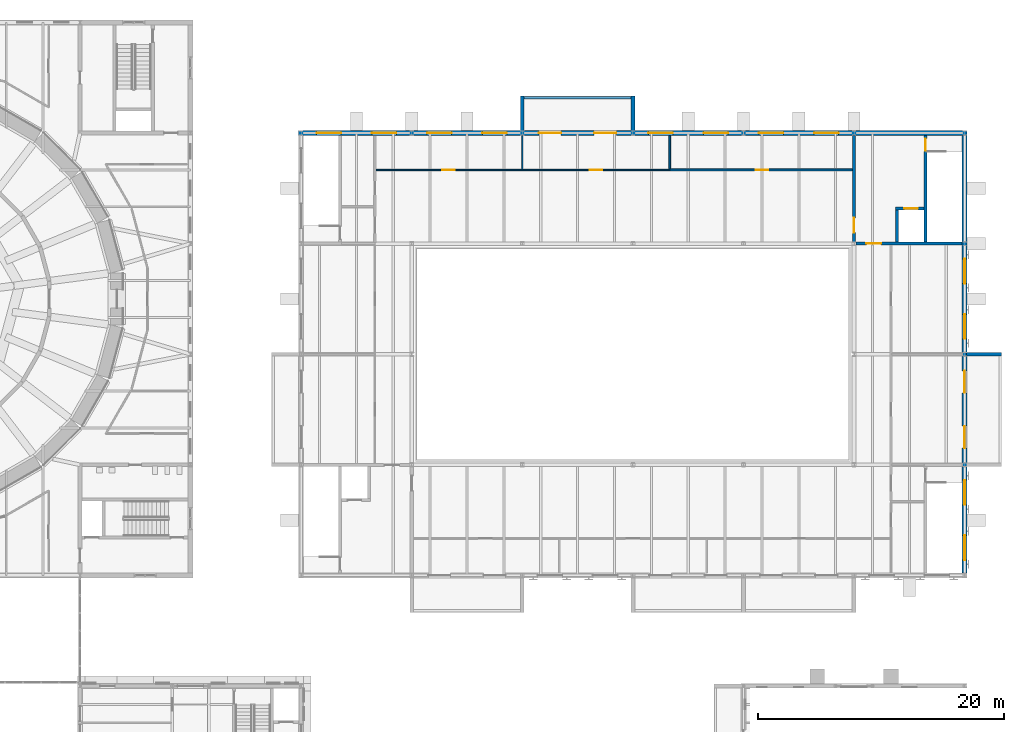
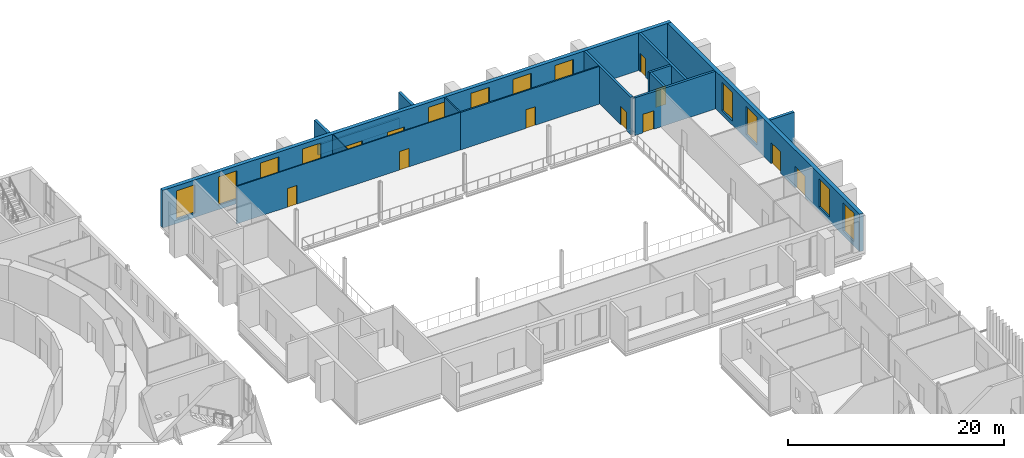
# One storey, part 95 of 131: 15 walls, 12 windows, 11 doors, 23 openings.
"""IFC4 building model written with IfcOpenShell, lengths in metres."""

from ifc_helpers import new_model, si_unit, direction, frame, frame_2d, origin, place, context, subcontext, project, spatial, rectangle, extrude, material, layer, layer_set, type_object, element, fill, save


model = new_model("IFC4")

# Units and contexts
model_context = context("Model", 3, precision=1e-05, world=origin(), true_north=direction((0.0, 1.0)))
body_context = subcontext(model_context, "Body", "Model", "MODEL_VIEW")
ifc_project = project(units=[si_unit("LENGTHUNIT", "METRE"), si_unit("AREAUNIT", "SQUARE_METRE"), si_unit("VOLUMEUNIT", "CUBIC_METRE"), si_unit("PLANEANGLEUNIT", "RADIAN"), si_unit("MASSUNIT", "GRAM", prefix="KILO")], contexts=[model_context])

# Site, building, storey
site_placement = place(None, origin())
site = spatial("IfcSite", under=ifc_project, at=site_placement, CompositionType="ELEMENT")
building_placement = place(site_placement, origin())
building = spatial("IfcBuilding", under=site, at=building_placement, Name="Golden Quay Civic Hall", CompositionType="ELEMENT")
storey_placement = place(building_placement, frame((0.0, 0.0, 9.89990234375)))
storey = spatial("IfcBuildingStorey", under=building, at=storey_placement, Name="L02", CompositionType="ELEMENT", Elevation=9.89990234375)

# Wall
ifc_material_1 = material(Name="Brick, dark clay facing", Category="masonry")
ifc_layer_1 = layer(ifc_material_1, 0.199951171875)
ifc_layer_set_1 = layer_set([ifc_layer_1], Name="Brick balustrade wall 200")
wall_type_1 = type_object("IfcWallType", Name="Brick balustrade wall 200", PredefinedType="STANDARD", material=ifc_layer_set_1)
wall_1_placement = place(storey_placement, frame((135.14990234375, 101.8798828125, 0.0), z_axis=(0.0, 0.0, 1.0), x_axis=(1.0, 0.0, 0.0)))
element("IfcWall", 1, at=wall_1_placement, inside=storey, type_object=wall_type_1, Name="Brick balustrade wall 200 L02 11", PredefinedType="STANDARD", context=body_context, shape_type="SweptSolid", body=[
    extrude(rectangle(XDim=8.7001953125, YDim=0.199951171875, at=frame_2d((4.35009765625, 0.0))), origin(), (0.0, 0.0, 1.0), 1.150146484375),
])

# Wall, openings, doors, windows
ifc_material_2 = material(Name="Brick, dark clay facing", Category="masonry")
ifc_layer_2 = layer(ifc_material_2, 0.39990234375)
ifc_layer_set_2 = layer_set([ifc_layer_2], Name="Brick external wall 400 fire EI 120")
wall_type_2 = type_object("IfcWallType", Name="Brick external wall 400 fire EI 120", PredefinedType="STANDARD", material=ifc_layer_set_2)
wall_2_placement = place(storey_placement, frame((116.800048828125, 99.0, 0.0), z_axis=(0.0, 0.0, 1.0), x_axis=(1.0, 0.0, 0.0)))
wall_2 = element("IfcWall", 2, at=wall_2_placement, inside=storey, type_object=wall_type_2, Name="L02 external wall N", PredefinedType="STANDARD", context=body_context, shape_type="SweptSolid", body=[
    extrude(rectangle(XDim=54.39990234375, YDim=0.39990234375, at=frame_2d((27.199951171875, 0.0))), origin(), (0.0, 0.0, 1.0), 4.25),
])
opening_1_placement = place(wall_2_placement, frame((1.449951171875, 0.0, 0.5)))
opening_1 = element("IfcOpeningElement", 3, at=opening_1_placement, cuts=wall_2, Name="Opening WN19", PredefinedType="OPENING", context=body_context, shape_type="SweptSolid", body=[
    extrude(rectangle(XDim=2.0, YDim=3.199951171875, at=frame_2d((1.0, 1.60009765625))), frame((0.0, 0.2099609375, 0.0), z_axis=(0.0, -1.0, 0.0), x_axis=(1.0, 0.0, 0.0)), (0.0, 0.0, 1.0), 0.419921875),
])
opening_2_placement = place(wall_2_placement, frame((5.949951171875, 0.0, 0.5)))
opening_2 = element("IfcOpeningElement", 4, at=opening_2_placement, cuts=wall_2, Name="Opening WN19", PredefinedType="OPENING", context=body_context, shape_type="SweptSolid", body=[
    extrude(rectangle(XDim=2.0, YDim=3.199951171875, at=frame_2d((1.0, 1.60009765625))), frame((0.0, 0.2099609375, 0.0), z_axis=(0.0, -1.0, 0.0), x_axis=(1.0, 0.0, 0.0)), (0.0, 0.0, 1.0), 0.419921875),
])
opening_3_placement = place(wall_2_placement, frame((10.449951171875, 0.0, 0.5)))
opening_3 = element("IfcOpeningElement", 5, at=opening_3_placement, cuts=wall_2, Name="Opening WN19", PredefinedType="OPENING", context=body_context, shape_type="SweptSolid", body=[
    extrude(rectangle(XDim=2.0, YDim=3.199951171875, at=frame_2d((1.0, 1.60009765625))), frame((0.0, 0.2099609375, 0.0), z_axis=(0.0, -1.0, 0.0), x_axis=(1.0, 0.0, 0.0)), (0.0, 0.0, 1.0), 0.419921875),
])
opening_4_placement = place(wall_2_placement, frame((14.949951171875, 0.0, 0.5)))
opening_4 = element("IfcOpeningElement", 6, at=opening_4_placement, cuts=wall_2, Name="Opening WN19", PredefinedType="OPENING", context=body_context, shape_type="SweptSolid", body=[
    extrude(rectangle(XDim=2.0, YDim=3.199951171875, at=frame_2d((1.0, 1.60009765625))), frame((0.0, 0.2099609375, 0.0), z_axis=(0.0, -1.0, 0.0), x_axis=(1.0, 0.0, 0.0)), (0.0, 0.0, 1.0), 0.419921875),
])
opening_5_placement = place(wall_2_placement, frame((28.449951171875, 0.0, 0.5)))
opening_5 = element("IfcOpeningElement", 7, at=opening_5_placement, cuts=wall_2, Name="Opening WN19", PredefinedType="OPENING", context=body_context, shape_type="SweptSolid", body=[
    extrude(rectangle(XDim=2.0, YDim=3.199951171875, at=frame_2d((1.0, 1.60009765625))), frame((0.0, 0.2099609375, 0.0), z_axis=(0.0, -1.0, 0.0), x_axis=(1.0, 0.0, 0.0)), (0.0, 0.0, 1.0), 0.419921875),
])
opening_6_placement = place(wall_2_placement, frame((32.949951171875, 0.0, 0.5)))
opening_6 = element("IfcOpeningElement", 8, at=opening_6_placement, cuts=wall_2, Name="Opening WN19", PredefinedType="OPENING", context=body_context, shape_type="SweptSolid", body=[
    extrude(rectangle(XDim=2.0, YDim=3.199951171875, at=frame_2d((1.0, 1.60009765625))), frame((0.0, 0.2099609375, 0.0), z_axis=(0.0, -1.0, 0.0), x_axis=(1.0, 0.0, 0.0)), (0.0, 0.0, 1.0), 0.419921875),
])
opening_7_placement = place(wall_2_placement, frame((37.449951171875, 0.0, 0.5)))
opening_7 = element("IfcOpeningElement", 9, at=opening_7_placement, cuts=wall_2, Name="Opening WN19", PredefinedType="OPENING", context=body_context, shape_type="SweptSolid", body=[
    extrude(rectangle(XDim=2.0, YDim=3.199951171875, at=frame_2d((1.0, 1.60009765625))), frame((0.0, 0.2099609375, 0.0), z_axis=(0.0, -1.0, 0.0), x_axis=(1.0, 0.0, 0.0)), (0.0, 0.0, 1.0), 0.419921875),
])
opening_8_placement = place(wall_2_placement, frame((41.949951171875, 0.0, 0.5)))
opening_8 = element("IfcOpeningElement", 10, at=opening_8_placement, cuts=wall_2, Name="Opening WN19", PredefinedType="OPENING", context=body_context, shape_type="SweptSolid", body=[
    extrude(rectangle(XDim=2.0, YDim=3.199951171875, at=frame_2d((1.0, 1.60009765625))), frame((0.0, 0.2099609375, 0.0), z_axis=(0.0, -1.0, 0.0), x_axis=(1.0, 0.0, 0.0)), (0.0, 0.0, 1.0), 0.419921875),
])
opening_9_placement = place(wall_2_placement, frame((19.550048828125, 0.0, 0.0)))
opening_9 = element("IfcOpeningElement", 11, at=opening_9_placement, cuts=wall_2, Name="Opening L02-D018", PredefinedType="OPENING", context=body_context, shape_type="SweptSolid", body=[
    extrude(rectangle(XDim=1.800048828125, YDim=2.39990234375, at=frame_2d((0.89990234375, 1.199951171875))), frame((0.0, 0.2099609375, 0.0), z_axis=(0.0, -1.0, 0.0), x_axis=(1.0, 0.0, 0.0)), (0.0, 0.0, 1.0), 0.419921875),
])
opening_10_placement = place(wall_2_placement, frame((24.050048828125, 0.0, 0.0)))
opening_10 = element("IfcOpeningElement", 12, at=opening_10_placement, cuts=wall_2, Name="Opening L02-D019", PredefinedType="OPENING", context=body_context, shape_type="SweptSolid", body=[
    extrude(rectangle(XDim=1.800048828125, YDim=2.39990234375, at=frame_2d((0.89990234375, 1.199951171875))), frame((0.0, 0.2099609375, 0.0), z_axis=(0.0, -1.0, 0.0), x_axis=(1.0, 0.0, 0.0)), (0.0, 0.0, 1.0), 0.419921875),
])
ifc_material_3 = material(Name="Aluminium frame, glazed", Category="aluminium")
door_type_1 = type_object("IfcDoorType", Name="Glazed double terrace door 1800 x 2400", OperationType="DOUBLE_DOOR_SINGLE_SWING", PredefinedType="DOOR", material=ifc_material_3)
door_1_placement = place(opening_9_placement, origin())
door_1 = element("IfcDoor", 13, at=door_1_placement, inside=storey, type_object=door_type_1, Name="Loggia door L02 N202", OperationType="DOUBLE_DOOR_SINGLE_SWING", OverallHeight=2.39990234375, OverallWidth=1.800048828125, PredefinedType="DOOR", context=body_context, shape_type="SweptSolid", body=[
    extrude(rectangle(XDim=1.800048828125, YDim=2.39990234375, at=frame_2d((0.89990234375, 1.199951171875))), frame((0.0, 0.02490234375, 0.0), z_axis=(0.0, -1.0, 0.0), x_axis=(1.0, 0.0, 0.0)), (0.0, 0.0, 1.0), 0.050048828125),
])
fill(opening_9, door_1)
door_2_placement = place(opening_10_placement, origin())
door_2 = element("IfcDoor", 14, at=door_2_placement, inside=storey, type_object=door_type_1, Name="Loggia door L02 N247", OperationType="DOUBLE_DOOR_SINGLE_SWING", OverallHeight=2.39990234375, OverallWidth=1.800048828125, PredefinedType="DOOR", context=body_context, shape_type="SweptSolid", body=[
    extrude(rectangle(XDim=1.800048828125, YDim=2.39990234375, at=frame_2d((0.89990234375, 1.199951171875))), frame((0.0, 0.02490234375, 0.0), z_axis=(0.0, -1.0, 0.0), x_axis=(1.0, 0.0, 0.0)), (0.0, 0.0, 1.0), 0.050048828125),
])
fill(opening_10, door_2)
ifc_material_4 = material(Name="Timber", Category="wood")
window_type = type_object("IfcWindowType", Name="Tall timber window 2000 x 3200", PartitioningType="SINGLE_PANEL", PredefinedType="WINDOW", material=ifc_material_4)
window_1_placement = place(opening_1_placement, origin())
window_1 = element("IfcWindow", 15, at=window_1_placement, inside=storey, type_object=window_type, Name="L02 window N22", OverallHeight=3.199951171875, OverallWidth=2.0, PartitioningType="SINGLE_PANEL", PredefinedType="WINDOW", context=body_context, shape_type="SweptSolid", body=[
    extrude(rectangle(XDim=2.0, YDim=3.199951171875, at=frame_2d((1.0, 1.60009765625))), frame((0.0, 0.030029296875, 0.0), z_axis=(0.0, -1.0, 0.0), x_axis=(1.0, 0.0, 0.0)), (0.0, 0.0, 1.0), 0.06005859375),
])
fill(opening_1, window_1)
window_2_placement = place(opening_2_placement, origin())
window_2 = element("IfcWindow", 16, at=window_2_placement, inside=storey, type_object=window_type, Name="L02 window N67", OverallHeight=3.199951171875, OverallWidth=2.0, PartitioningType="SINGLE_PANEL", PredefinedType="WINDOW", context=body_context, shape_type="SweptSolid", body=[
    extrude(rectangle(XDim=2.0, YDim=3.199951171875, at=frame_2d((1.0, 1.60009765625))), frame((0.0, 0.030029296875, 0.0), z_axis=(0.0, -1.0, 0.0), x_axis=(1.0, 0.0, 0.0)), (0.0, 0.0, 1.0), 0.06005859375),
])
fill(opening_2, window_2)
window_3_placement = place(opening_3_placement, origin())
window_3 = element("IfcWindow", 17, at=window_3_placement, inside=storey, type_object=window_type, Name="L02 window N112", OverallHeight=3.199951171875, OverallWidth=2.0, PartitioningType="SINGLE_PANEL", PredefinedType="WINDOW", context=body_context, shape_type="SweptSolid", body=[
    extrude(rectangle(XDim=2.0, YDim=3.199951171875, at=frame_2d((1.0, 1.60009765625))), frame((0.0, 0.030029296875, 0.0), z_axis=(0.0, -1.0, 0.0), x_axis=(1.0, 0.0, 0.0)), (0.0, 0.0, 1.0), 0.06005859375),
])
fill(opening_3, window_3)
window_4_placement = place(opening_4_placement, origin())
window_4 = element("IfcWindow", 18, at=window_4_placement, inside=storey, type_object=window_type, Name="L02 window N157", OverallHeight=3.199951171875, OverallWidth=2.0, PartitioningType="SINGLE_PANEL", PredefinedType="WINDOW", context=body_context, shape_type="SweptSolid", body=[
    extrude(rectangle(XDim=2.0, YDim=3.199951171875, at=frame_2d((1.0, 1.60009765625))), frame((0.0, 0.030029296875, 0.0), z_axis=(0.0, -1.0, 0.0), x_axis=(1.0, 0.0, 0.0)), (0.0, 0.0, 1.0), 0.06005859375),
])
fill(opening_4, window_4)
window_5_placement = place(opening_5_placement, origin())
window_5 = element("IfcWindow", 19, at=window_5_placement, inside=storey, type_object=window_type, Name="L02 window N292", OverallHeight=3.199951171875, OverallWidth=2.0, PartitioningType="SINGLE_PANEL", PredefinedType="WINDOW", context=body_context, shape_type="SweptSolid", body=[
    extrude(rectangle(XDim=2.0, YDim=3.199951171875, at=frame_2d((1.0, 1.60009765625))), frame((0.0, 0.030029296875, 0.0), z_axis=(0.0, -1.0, 0.0), x_axis=(1.0, 0.0, 0.0)), (0.0, 0.0, 1.0), 0.06005859375),
])
fill(opening_5, window_5)
window_6_placement = place(opening_6_placement, origin())
window_6 = element("IfcWindow", 20, at=window_6_placement, inside=storey, type_object=window_type, Name="L02 window N337", OverallHeight=3.199951171875, OverallWidth=2.0, PartitioningType="SINGLE_PANEL", PredefinedType="WINDOW", context=body_context, shape_type="SweptSolid", body=[
    extrude(rectangle(XDim=2.0, YDim=3.199951171875, at=frame_2d((1.0, 1.60009765625))), frame((0.0, 0.030029296875, 0.0), z_axis=(0.0, -1.0, 0.0), x_axis=(1.0, 0.0, 0.0)), (0.0, 0.0, 1.0), 0.06005859375),
])
fill(opening_6, window_6)
window_7_placement = place(opening_7_placement, origin())
window_7 = element("IfcWindow", 21, at=window_7_placement, inside=storey, type_object=window_type, Name="L02 window N382", OverallHeight=3.199951171875, OverallWidth=2.0, PartitioningType="SINGLE_PANEL", PredefinedType="WINDOW", context=body_context, shape_type="SweptSolid", body=[
    extrude(rectangle(XDim=2.0, YDim=3.199951171875, at=frame_2d((1.0, 1.60009765625))), frame((0.0, 0.030029296875, 0.0), z_axis=(0.0, -1.0, 0.0), x_axis=(1.0, 0.0, 0.0)), (0.0, 0.0, 1.0), 0.06005859375),
])
fill(opening_7, window_7)
window_8_placement = place(opening_8_placement, origin())
window_8 = element("IfcWindow", 22, at=window_8_placement, inside=storey, type_object=window_type, Name="L02 window N427", OverallHeight=3.199951171875, OverallWidth=2.0, PartitioningType="SINGLE_PANEL", PredefinedType="WINDOW", context=body_context, shape_type="SweptSolid", body=[
    extrude(rectangle(XDim=2.0, YDim=3.199951171875, at=frame_2d((1.0, 1.60009765625))), frame((0.0, 0.030029296875, 0.0), z_axis=(0.0, -1.0, 0.0), x_axis=(1.0, 0.0, 0.0)), (0.0, 0.0, 1.0), 0.06005859375),
])
fill(opening_8, window_8)

wall_3_placement = place(storey_placement, frame((171.0, 63.199951171875, 0.0), z_axis=(0.0, 0.0, 1.0), x_axis=(0.0, 1.0, 0.0)))
wall_3 = element("IfcWall", 23, at=wall_3_placement, inside=storey, type_object=wall_type_2, Name="L02 external wall E", PredefinedType="STANDARD", context=body_context, shape_type="SweptSolid", body=[
    extrude(rectangle(XDim=35.60009765625, YDim=0.39990234375, at=frame_2d((17.800048828125, 0.0))), origin(), (0.0, 0.0, 1.0), 4.25),
])
opening_11_placement = place(wall_3_placement, frame((1.050048828125, 0.0, 0.5)))
opening_11 = element("IfcOpeningElement", 24, at=opening_11_placement, cuts=wall_3, Name="Opening WN19", PredefinedType="OPENING", context=body_context, shape_type="SweptSolid", body=[
    extrude(rectangle(XDim=2.0, YDim=3.199951171875, at=frame_2d((1.0, 1.60009765625))), frame((0.0, 0.2099609375, 0.0), z_axis=(0.0, -1.0, 0.0), x_axis=(1.0, 0.0, 0.0)), (0.0, 0.0, 1.0), 0.419921875),
])
opening_12_placement = place(wall_3_placement, frame((5.550048828125, 0.0, 0.5)))
opening_12 = element("IfcOpeningElement", 25, at=opening_12_placement, cuts=wall_3, Name="Opening WN19", PredefinedType="OPENING", context=body_context, shape_type="SweptSolid", body=[
    extrude(rectangle(XDim=2.0, YDim=3.199951171875, at=frame_2d((1.0, 1.60009765625))), frame((0.0, 0.2099609375, 0.0), z_axis=(0.0, -1.0, 0.0), x_axis=(1.0, 0.0, 0.0)), (0.0, 0.0, 1.0), 0.419921875),
])
opening_13_placement = place(wall_3_placement, frame((19.050048828125, 0.0, 0.5)))
opening_13 = element("IfcOpeningElement", 26, at=opening_13_placement, cuts=wall_3, Name="Opening WN19", PredefinedType="OPENING", context=body_context, shape_type="SweptSolid", body=[
    extrude(rectangle(XDim=2.0, YDim=3.199951171875, at=frame_2d((1.0, 1.60009765625))), frame((0.0, 0.2099609375, 0.0), z_axis=(0.0, -1.0, 0.0), x_axis=(1.0, 0.0, 0.0)), (0.0, 0.0, 1.0), 0.419921875),
])
opening_14_placement = place(wall_3_placement, frame((23.550048828125, 0.0, 0.5)))
opening_14 = element("IfcOpeningElement", 27, at=opening_14_placement, cuts=wall_3, Name="Opening WN19", PredefinedType="OPENING", context=body_context, shape_type="SweptSolid", body=[
    extrude(rectangle(XDim=2.0, YDim=3.199951171875, at=frame_2d((1.0, 1.60009765625))), frame((0.0, 0.2099609375, 0.0), z_axis=(0.0, -1.0, 0.0), x_axis=(1.0, 0.0, 0.0)), (0.0, 0.0, 1.0), 0.419921875),
])
opening_15_placement = place(wall_3_placement, frame((10.14990234375, 0.0, 0.0)))
opening_15 = element("IfcOpeningElement", 28, at=opening_15_placement, cuts=wall_3, Name="Opening L02-D022", PredefinedType="OPENING", context=body_context, shape_type="SweptSolid", body=[
    extrude(rectangle(XDim=1.800048828125, YDim=2.39990234375, at=frame_2d((0.89990234375, 1.199951171875))), frame((0.0, 0.2099609375, 0.0), z_axis=(0.0, -1.0, 0.0), x_axis=(1.0, 0.0, 0.0)), (0.0, 0.0, 1.0), 0.419921875),
])
opening_16_placement = place(wall_3_placement, frame((14.64990234375, 0.0, 0.0)))
opening_16 = element("IfcOpeningElement", 29, at=opening_16_placement, cuts=wall_3, Name="Opening L02-D023", PredefinedType="OPENING", context=body_context, shape_type="SweptSolid", body=[
    extrude(rectangle(XDim=1.800048828125, YDim=2.39990234375, at=frame_2d((0.89990234375, 1.199951171875))), frame((0.0, 0.2099609375, 0.0), z_axis=(0.0, -1.0, 0.0), x_axis=(1.0, 0.0, 0.0)), (0.0, 0.0, 1.0), 0.419921875),
])
door_3_placement = place(opening_15_placement, frame((1.800048828125, 0.0, 0.0), z_axis=(0.0, 0.0, 1.0), x_axis=(-1.0, 0.0, 0.0)))
door_3 = element("IfcDoor", 30, at=door_3_placement, inside=storey, type_object=door_type_1, Name="Loggia door L02 E112", OperationType="DOUBLE_DOOR_SINGLE_SWING", OverallHeight=2.39990234375, OverallWidth=1.800048828125, PredefinedType="DOOR", context=body_context, shape_type="SweptSolid", body=[
    extrude(rectangle(XDim=1.800048828125, YDim=2.39990234375, at=frame_2d((0.900146484375, 1.199951171875))), frame((0.0, 0.025146484375, 0.0), z_axis=(0.0, -1.0, 0.0), x_axis=(1.0, 0.0, 0.0)), (0.0, 0.0, 1.0), 0.050048828125),
])
fill(opening_15, door_3)
door_4_placement = place(opening_16_placement, frame((1.800048828125, 0.0, 0.0), z_axis=(0.0, 0.0, 1.0), x_axis=(-1.0, 0.0, 0.0)))
door_4 = element("IfcDoor", 31, at=door_4_placement, inside=storey, type_object=door_type_1, Name="Loggia door L02 E157", OperationType="DOUBLE_DOOR_SINGLE_SWING", OverallHeight=2.39990234375, OverallWidth=1.800048828125, PredefinedType="DOOR", context=body_context, shape_type="SweptSolid", body=[
    extrude(rectangle(XDim=1.800048828125, YDim=2.39990234375, at=frame_2d((0.900146484375, 1.199951171875))), frame((0.0, 0.025146484375, 0.0), z_axis=(0.0, -1.0, 0.0), x_axis=(1.0, 0.0, 0.0)), (0.0, 0.0, 1.0), 0.050048828125),
])
fill(opening_16, door_4)
window_9_placement = place(opening_11_placement, origin())
window_9 = element("IfcWindow", 32, at=window_9_placement, inside=storey, type_object=window_type, Name="L02 window E22", OverallHeight=3.199951171875, OverallWidth=2.0, PartitioningType="SINGLE_PANEL", PredefinedType="WINDOW", context=body_context, shape_type="SweptSolid", body=[
    extrude(rectangle(XDim=2.0, YDim=3.199951171875, at=frame_2d((1.0, 1.60009765625))), frame((0.0, 0.030029296875, 0.0), z_axis=(0.0, -1.0, 0.0), x_axis=(1.0, 0.0, 0.0)), (0.0, 0.0, 1.0), 0.06005859375),
])
fill(opening_11, window_9)
window_10_placement = place(opening_12_placement, origin())
window_10 = element("IfcWindow", 33, at=window_10_placement, inside=storey, type_object=window_type, Name="L02 window E67", OverallHeight=3.199951171875, OverallWidth=2.0, PartitioningType="SINGLE_PANEL", PredefinedType="WINDOW", context=body_context, shape_type="SweptSolid", body=[
    extrude(rectangle(XDim=2.0, YDim=3.199951171875, at=frame_2d((1.0, 1.60009765625))), frame((0.0, 0.030029296875, 0.0), z_axis=(0.0, -1.0, 0.0), x_axis=(1.0, 0.0, 0.0)), (0.0, 0.0, 1.0), 0.06005859375),
])
fill(opening_12, window_10)
window_11_placement = place(opening_13_placement, origin())
window_11 = element("IfcWindow", 34, at=window_11_placement, inside=storey, type_object=window_type, Name="L02 window E202", OverallHeight=3.199951171875, OverallWidth=2.0, PartitioningType="SINGLE_PANEL", PredefinedType="WINDOW", context=body_context, shape_type="SweptSolid", body=[
    extrude(rectangle(XDim=2.0, YDim=3.199951171875, at=frame_2d((1.0, 1.60009765625))), frame((0.0, 0.030029296875, 0.0), z_axis=(0.0, -1.0, 0.0), x_axis=(1.0, 0.0, 0.0)), (0.0, 0.0, 1.0), 0.06005859375),
])
fill(opening_13, window_11)
window_12_placement = place(opening_14_placement, origin())
window_12 = element("IfcWindow", 35, at=window_12_placement, inside=storey, type_object=window_type, Name="L02 window E247", OverallHeight=3.199951171875, OverallWidth=2.0, PartitioningType="SINGLE_PANEL", PredefinedType="WINDOW", context=body_context, shape_type="SweptSolid", body=[
    extrude(rectangle(XDim=2.0, YDim=3.199951171875, at=frame_2d((1.0, 1.60009765625))), frame((0.0, 0.030029296875, 0.0), z_axis=(0.0, -1.0, 0.0), x_axis=(1.0, 0.0, 0.0)), (0.0, 0.0, 1.0), 0.06005859375),
])
fill(opening_14, window_12)

# Walls
ifc_material_5 = material(Name="Brick, dark clay facing", Category="masonry")
ifc_layer_3 = layer(ifc_material_5, 0.300048828125)
ifc_layer_set_3 = layer_set([ifc_layer_3], Name="Brick loggia wall 300")
wall_type_3 = type_object("IfcWallType", Name="Brick loggia wall 300", PredefinedType="STANDARD", material=ifc_layer_set_3)
wall_4_placement = place(storey_placement, frame((171.14990234375, 81.0, 0.0), z_axis=(0.0, 0.0, 1.0), x_axis=(1.0, 0.0, 0.0)))
element("IfcWall", 36, at=wall_4_placement, inside=storey, type_object=wall_type_3, Name="Brick loggia wall 300 L02 17", PredefinedType="STANDARD", context=body_context, shape_type="SweptSolid", body=[
    extrude(rectangle(XDim=2.85009765625, YDim=0.300048828125, at=frame_2d((1.425048828125, 0.0))), origin(), (0.0, 0.0, 1.0), 3.97021484375),
])
for number, where, z_axis, x_axis, name in (
    (37, (135.0, 99.179931640625, 0.0), (0.0, 0.0, 1.0), (0.0, 1.0, 0.0), "Brick loggia wall 300 L02 18"),
    (38, (144.0, 99.179931640625, 0.0), (0.0, 0.0, 1.0), (0.0, 1.0, 0.0), "Brick loggia wall 300 L02 19"),
):
    element("IfcWall", number, at=place(storey_placement, frame(where, z_axis=z_axis, x_axis=x_axis)), inside=storey, type_object=wall_type_3, Name=name, PredefinedType="STANDARD", context=body_context, shape_type="SweptSolid", body=[
        extrude(rectangle(XDim=2.820068359375, YDim=0.300048828125, at=frame_2d((1.41015625, 0.0))), origin(), (0.0, 0.0, 1.0), 3.97021484375),
    ])

# Wall, opening, door
ifc_material_6 = material(Name="Concrete C40/50", Category="concrete")
ifc_layer_4 = layer(ifc_material_6, 0.25)
ifc_layer_set_4 = layer_set([ifc_layer_4], Name="Concrete core wall 250, Concrete C40/50")
wall_type_4 = type_object("IfcWallType", Name="Concrete core wall 250", PredefinedType="SHEAR", material=ifc_layer_set_4)
wall_5_placement = place(storey_placement, frame((167.824951171875, 98.800048828125, 0.0), z_axis=(0.0, 0.0, 1.0), x_axis=(0.0, -1.0, 0.0)))
wall_5 = element("IfcWall", 39, at=wall_5_placement, inside=storey, type_object=wall_type_4, Name="L02 core wall E stair east", PredefinedType="SHEAR", context=body_context, shape_type="SweptSolid", body=[
    extrude(rectangle(XDim=8.675048828125, YDim=0.25, at=frame_2d((4.33740234375, 0.0))), origin(), (0.0, 0.0, 1.0), 4.25),
])
opening_17_placement = place(wall_5_placement, frame((0.25, 0.0, 0.0)))
opening_17 = element("IfcOpeningElement", 40, at=opening_17_placement, cuts=wall_5, Name="Opening L02-D210", PredefinedType="OPENING", context=body_context, shape_type="SweptSolid", body=[
    extrude(rectangle(XDim=1.0, YDim=2.10009765625, at=frame_2d((0.5, 1.050048828125))), frame((0.0, 0.135009765625, 0.0), z_axis=(0.0, -1.0, 0.0), x_axis=(1.0, 0.0, 0.0)), (0.0, 0.0, 1.0), 0.27001953125),
])
ifc_material_7 = material(Name="Steel", Category="steel")
door_type_2 = type_object("IfcDoorType", Name="Steel fire door FD60 1000 x 2100", OperationType="SINGLE_SWING_LEFT", PredefinedType="DOOR", material=ifc_material_7)
door_5_placement = place(opening_17_placement, frame((1.0, 0.0, 0.0), z_axis=(0.0, 0.0, 1.0), x_axis=(-1.0, 0.0, 0.0)))
door_5 = element("IfcDoor", 41, at=door_5_placement, inside=storey, type_object=door_type_2, Name="Stair door LB-E", OperationType="SINGLE_SWING_RIGHT", OverallHeight=2.10009765625, OverallWidth=1.0, PredefinedType="DOOR", context=body_context, shape_type="SweptSolid", body=[
    extrude(rectangle(XDim=1.0, YDim=2.10009765625, at=frame_2d((0.5, 1.050048828125))), frame((0.0, 0.025146484375, 0.0), z_axis=(0.0, -1.0, 0.0), x_axis=(1.0, 0.0, 0.0)), (0.0, 0.0, 1.0), 0.050048828125),
])
fill(opening_17, door_5)

wall_6_placement = place(storey_placement, frame((162.0, 98.800048828125, 0.0), z_axis=(0.0, 0.0, 1.0), x_axis=(0.0, -1.0, 0.0)))
wall_6 = element("IfcWall", 42, at=wall_6_placement, inside=storey, type_object=wall_type_4, Name="L02 core wall E east boundary", PredefinedType="SHEAR", context=body_context, shape_type="SweptSolid", body=[
    extrude(rectangle(XDim=8.650146484375, YDim=0.25, at=frame_2d((4.3251953125, 0.0))), origin(), (0.0, 0.0, 1.0), 4.25),
])
opening_18_placement = place(wall_6_placement, frame((6.699951171875, 0.0, 0.0)))
opening_18 = element("IfcOpeningElement", 43, at=opening_18_placement, cuts=wall_6, Name="Opening L02-D213", PredefinedType="OPENING", context=body_context, shape_type="SweptSolid", body=[
    extrude(rectangle(XDim=1.199951171875, YDim=2.10009765625, at=frame_2d((0.60009765625, 1.050048828125))), frame((0.0, 0.135009765625, 0.0), z_axis=(0.0, -1.0, 0.0), x_axis=(1.0, 0.0, 0.0)), (0.0, 0.0, 1.0), 0.27001953125),
])
ifc_material_8 = material(Name="Steel", Category="steel")
door_type_3 = type_object("IfcDoorType", Name="Steel fire door FD60 1200 x 2100", OperationType="SINGLE_SWING_LEFT", PredefinedType="DOOR", material=ifc_material_8)
door_6_placement = place(opening_18_placement, frame((1.199951171875, 0.0, 0.0), z_axis=(0.0, 0.0, 1.0), x_axis=(-1.0, 0.0, 0.0)))
door_6 = element("IfcDoor", 44, at=door_6_placement, inside=storey, type_object=door_type_3, Name="Lobby door LB-E", OperationType="SINGLE_SWING_RIGHT", OverallHeight=2.10009765625, OverallWidth=1.199951171875, PredefinedType="DOOR", context=body_context, shape_type="SweptSolid", body=[
    extrude(rectangle(XDim=1.199951171875, YDim=2.10009765625, at=frame_2d((0.599853515625, 1.050048828125))), frame((0.0, 0.025146484375, 0.0), z_axis=(0.0, -1.0, 0.0), x_axis=(1.0, 0.0, 0.0)), (0.0, 0.0, 1.0), 0.050048828125),
])
fill(opening_18, door_6)

wall_7_placement = place(storey_placement, frame((170.800048828125, 90.0, 0.0), z_axis=(0.0, 0.0, 1.0), x_axis=(-1.0, 0.0, 0.0)))
wall_7 = element("IfcWall", 45, at=wall_7_placement, inside=storey, type_object=wall_type_4, Name="L02 core wall E north boundary", PredefinedType="SHEAR", context=body_context, shape_type="SweptSolid", body=[
    extrude(rectangle(XDim=8.650146484375, YDim=0.25, at=frame_2d((4.3251953125, 0.0))), origin(), (0.0, 0.0, 1.0), 4.25),
])
opening_19_placement = place(wall_7_placement, frame((6.60009765625, 0.0, 0.0)))
opening_19 = element("IfcOpeningElement", 46, at=opening_19_placement, cuts=wall_7, Name="Opening L02-D212", PredefinedType="OPENING", context=body_context, shape_type="SweptSolid", body=[
    extrude(rectangle(XDim=1.199951171875, YDim=2.10009765625, at=frame_2d((0.60009765625, 1.050048828125))), frame((0.0, 0.135009765625, 0.0), z_axis=(0.0, -1.0, 0.0), x_axis=(1.0, 0.0, 0.0)), (0.0, 0.0, 1.0), 0.27001953125),
])
door_7_placement = place(opening_19_placement, origin())
door_7 = element("IfcDoor", 47, at=door_7_placement, inside=storey, type_object=door_type_3, Name="Lobby door LB-E", OperationType="SINGLE_SWING_LEFT", OverallHeight=2.10009765625, OverallWidth=1.199951171875, PredefinedType="DOOR", context=body_context, shape_type="SweptSolid", body=[
    extrude(rectangle(XDim=1.199951171875, YDim=2.10009765625, at=frame_2d((0.60009765625, 1.050048828125))), frame((0.0, 0.02490234375, 0.0), z_axis=(0.0, -1.0, 0.0), x_axis=(1.0, 0.0, 0.0)), (0.0, 0.0, 1.0), 0.050048828125),
])
fill(opening_19, door_7)

wall_8_placement = place(storey_placement, frame((167.699951171875, 92.85009765625, 0.0), z_axis=(0.0, 0.0, 1.0), x_axis=(-1.0, 0.0, 0.0)))
wall_8 = element("IfcWall", 48, at=wall_8_placement, inside=storey, type_object=wall_type_4, Name="L02 core wall E lift south", PredefinedType="SHEAR", context=body_context, shape_type="SweptSolid", body=[
    extrude(rectangle(XDim=2.349853515625, YDim=0.25, at=frame_2d((1.1748046875, 0.0))), origin(), (0.0, 0.0, 1.0), 4.25),
])
opening_20_placement = place(wall_8_placement, frame((0.5, 0.0, 0.0)))
opening_20 = element("IfcOpeningElement", 49, at=opening_20_placement, cuts=wall_8, Name="Opening L02-D211", PredefinedType="OPENING", context=body_context, shape_type="SweptSolid", body=[
    extrude(rectangle(XDim=1.10009765625, YDim=2.10009765625, at=frame_2d((0.550048828125, 1.050048828125))), frame((0.0, 0.135009765625, 0.0), z_axis=(0.0, -1.0, 0.0), x_axis=(1.0, 0.0, 0.0)), (0.0, 0.0, 1.0), 0.27001953125),
])
ifc_material_9 = material(Name="Steel", Category="steel")
door_type_4 = type_object("IfcDoorType", Name="Lift landing door 1100 x 2100", OperationType="SLIDING_TO_LEFT", PredefinedType="DOOR", material=ifc_material_9)
door_8_placement = place(opening_20_placement, origin())
door_8 = element("IfcDoor", 50, at=door_8_placement, inside=storey, type_object=door_type_4, Name="Lift landing door", OperationType="SLIDING_TO_LEFT", OverallHeight=2.10009765625, OverallWidth=1.10009765625, PredefinedType="DOOR", context=body_context, shape_type="SweptSolid", body=[
    extrude(rectangle(XDim=1.10009765625, YDim=2.10009765625, at=frame_2d((0.550048828125, 1.050048828125))), frame((0.0, 0.02490234375, 0.0), z_axis=(0.0, -1.0, 0.0), x_axis=(1.0, 0.0, 0.0)), (0.0, 0.0, 1.0), 0.050048828125),
])
fill(opening_20, door_8)

# Wall
wall_9_placement = place(storey_placement, frame((165.47509765625, 92.72509765625, 0.0), z_axis=(0.0, 0.0, 1.0), x_axis=(0.0, -1.0, 0.0)))
element("IfcWall", 51, at=wall_9_placement, inside=storey, type_object=wall_type_4, Name="L02 core wall E lift east", PredefinedType="SHEAR", context=body_context, shape_type="SweptSolid", body=[
    extrude(rectangle(XDim=2.60009765625, YDim=0.25, at=frame_2d((1.300048828125, 0.0))), origin(), (0.0, 0.0, 1.0), 4.25),
])

# Wall, openings, doors
ifc_material_10 = material(Name="Plasterboard on steel studs", Category="steel")
ifc_layer_5 = layer(ifc_material_10, 0.10009765625)
ifc_layer_set_5 = layer_set([ifc_layer_5], Name="Partition 100 stud")
wall_type_5 = type_object("IfcWallType", Name="Partition 100 stud", PredefinedType="PARTITIONING", material=ifc_layer_set_5)
wall_10_placement = place(storey_placement, frame((123.074951171875, 96.0, 0.0), z_axis=(0.0, 0.0, 1.0), x_axis=(1.0, 0.0, 0.0)))
wall_10 = element("IfcWall", 52, at=wall_10_placement, inside=storey, type_object=wall_type_5, Name="L02 partition H33-6.08", PredefinedType="PARTITIONING", context=body_context, shape_type="SweptSolid", body=[
    extrude(rectangle(XDim=23.925048828125, YDim=0.10009765625, at=frame_2d((11.96240234375, 0.0))), origin(), (0.0, 0.0, 1.0), 4.25),
])
opening_21_placement = place(wall_10_placement, frame((5.425048828125, 0.0, 0.0)))
opening_21 = element("IfcOpeningElement", 53, at=opening_21_placement, cuts=wall_10, Name="Opening L02-D203", PredefinedType="OPENING", context=body_context, shape_type="SweptSolid", body=[
    extrude(rectangle(XDim=1.0, YDim=2.10009765625, at=frame_2d((0.5, 1.050048828125))), frame((0.0, 0.06005859375, 0.0), z_axis=(0.0, -1.0, 0.0), x_axis=(1.0, 0.0, 0.0)), (0.0, 0.0, 1.0), 0.1201171875),
])
opening_22_placement = place(wall_10_placement, frame((17.425048828125, 0.0, 0.0)))
opening_22 = element("IfcOpeningElement", 54, at=opening_22_placement, cuts=wall_10, Name="Opening L02-D204", PredefinedType="OPENING", context=body_context, shape_type="SweptSolid", body=[
    extrude(rectangle(XDim=1.0, YDim=2.10009765625, at=frame_2d((0.5, 1.050048828125))), frame((0.0, 0.06005859375, 0.0), z_axis=(0.0, -1.0, 0.0), x_axis=(1.0, 0.0, 0.0)), (0.0, 0.0, 1.0), 0.1201171875),
])
ifc_material_11 = material(Name="Timber", Category="wood")
door_type_5 = type_object("IfcDoorType", Name="Timber door 1000 x 2100", OperationType="SINGLE_SWING_LEFT", PredefinedType="DOOR", material=ifc_material_11)
door_9_placement = place(opening_21_placement, origin())
door_9 = element("IfcDoor", 55, at=door_9_placement, inside=storey, type_object=door_type_5, Name="Study Room door", OperationType="SINGLE_SWING_LEFT", OverallHeight=2.10009765625, OverallWidth=1.0, PredefinedType="DOOR", context=body_context, shape_type="SweptSolid", body=[
    extrude(rectangle(XDim=1.0, YDim=2.10009765625, at=frame_2d((0.5, 1.050048828125))), frame((0.0, 0.02490234375, 0.0), z_axis=(0.0, -1.0, 0.0), x_axis=(1.0, 0.0, 0.0)), (0.0, 0.0, 1.0), 0.050048828125),
])
fill(opening_21, door_9)
door_10_placement = place(opening_22_placement, origin())
door_10 = element("IfcDoor", 56, at=door_10_placement, inside=storey, type_object=door_type_5, Name="Library Office door", OperationType="SINGLE_SWING_LEFT", OverallHeight=2.10009765625, OverallWidth=1.0, PredefinedType="DOOR", context=body_context, shape_type="SweptSolid", body=[
    extrude(rectangle(XDim=1.0, YDim=2.10009765625, at=frame_2d((0.5, 1.050048828125))), frame((0.0, 0.02490234375, 0.0), z_axis=(0.0, -1.0, 0.0), x_axis=(1.0, 0.0, 0.0)), (0.0, 0.0, 1.0), 0.050048828125),
])
fill(opening_22, door_10)

# Wall
wall_11_placement = place(storey_placement, frame((135.0, 96.050048828125, 0.0), z_axis=(0.0, 0.0, 1.0), x_axis=(0.0, 1.0, 0.0)))
element("IfcWall", 57, at=wall_11_placement, inside=storey, type_object=wall_type_5, Name="L02 partition V18-33.05", PredefinedType="PARTITIONING", context=body_context, shape_type="SweptSolid", body=[
    extrude(rectangle(XDim=2.75, YDim=0.10009765625, at=frame_2d((1.375, 0.0))), origin(), (0.0, 0.0, 1.0), 4.25),
])

# Wall, opening, door
ifc_material_12 = material(Name="Plasterboard on steel studs", Category="steel")
ifc_layer_6 = layer(ifc_material_12, 0.14990234375)
ifc_layer_set_6 = layer_set([ifc_layer_6], Name="Partition 150 stud fire EI 60")
wall_type_6 = type_object("IfcWallType", Name="Partition 150 stud fire EI 60", PredefinedType="PARTITIONING", material=ifc_layer_set_6)
wall_12_placement = place(storey_placement, frame((147.0, 96.0, 0.0), z_axis=(0.0, 0.0, 1.0), x_axis=(1.0, 0.0, 0.0)))
wall_12 = element("IfcWall", 58, at=wall_12_placement, inside=storey, type_object=wall_type_6, Name="L02 partition H33-30.00", PredefinedType="PARTITIONING", context=body_context, shape_type="SweptSolid", body=[
    extrude(rectangle(XDim=14.875, YDim=0.14990234375, at=frame_2d((7.4375, 0.0))), origin(), (0.0, 0.0, 1.0), 4.25),
])
opening_23_placement = place(wall_12_placement, frame((7.0, 0.0, 0.0)))
opening_23 = element("IfcOpeningElement", 59, at=opening_23_placement, cuts=wall_12, Name="Opening L02-D205", PredefinedType="OPENING", context=body_context, shape_type="SweptSolid", body=[
    extrude(rectangle(XDim=1.0, YDim=2.10009765625, at=frame_2d((0.5, 1.050048828125))), frame((0.0, 0.0849609375, 0.0), z_axis=(0.0, -1.0, 0.0), x_axis=(1.0, 0.0, 0.0)), (0.0, 0.0, 1.0), 0.169921875),
])
ifc_material_13 = material(Name="Timber", Category="wood")
door_type_6 = type_object("IfcDoorType", Name="Timber fire door FD60 1000 x 2100", OperationType="SINGLE_SWING_LEFT", PredefinedType="DOOR", material=ifc_material_13)
door_11_placement = place(opening_23_placement, origin())
door_11 = element("IfcDoor", 60, at=door_11_placement, inside=storey, type_object=door_type_6, Name="Archive and Stacks door", OperationType="SINGLE_SWING_LEFT", OverallHeight=2.10009765625, OverallWidth=1.0, PredefinedType="DOOR", context=body_context, shape_type="SweptSolid", body=[
    extrude(rectangle(XDim=1.0, YDim=2.10009765625, at=frame_2d((0.5, 1.050048828125))), frame((0.0, 0.02490234375, 0.0), z_axis=(0.0, -1.0, 0.0), x_axis=(1.0, 0.0, 0.0)), (0.0, 0.0, 1.0), 0.050048828125),
])
fill(opening_23, door_11)

# Wall
wall_13_placement = place(storey_placement, frame((147.0, 96.074951171875, 0.0), z_axis=(0.0, 0.0, 1.0), x_axis=(0.0, 1.0, 0.0)))
element("IfcWall", 61, at=wall_13_placement, inside=storey, type_object=wall_type_6, Name="L02 partition V30-33.08", PredefinedType="PARTITIONING", context=body_context, shape_type="SweptSolid", body=[
    extrude(rectangle(XDim=2.72509765625, YDim=0.14990234375, at=frame_2d((1.362548828125, 0.0))), origin(), (0.0, 0.0, 1.0), 4.25),
])

save(model, "model.ifc")
